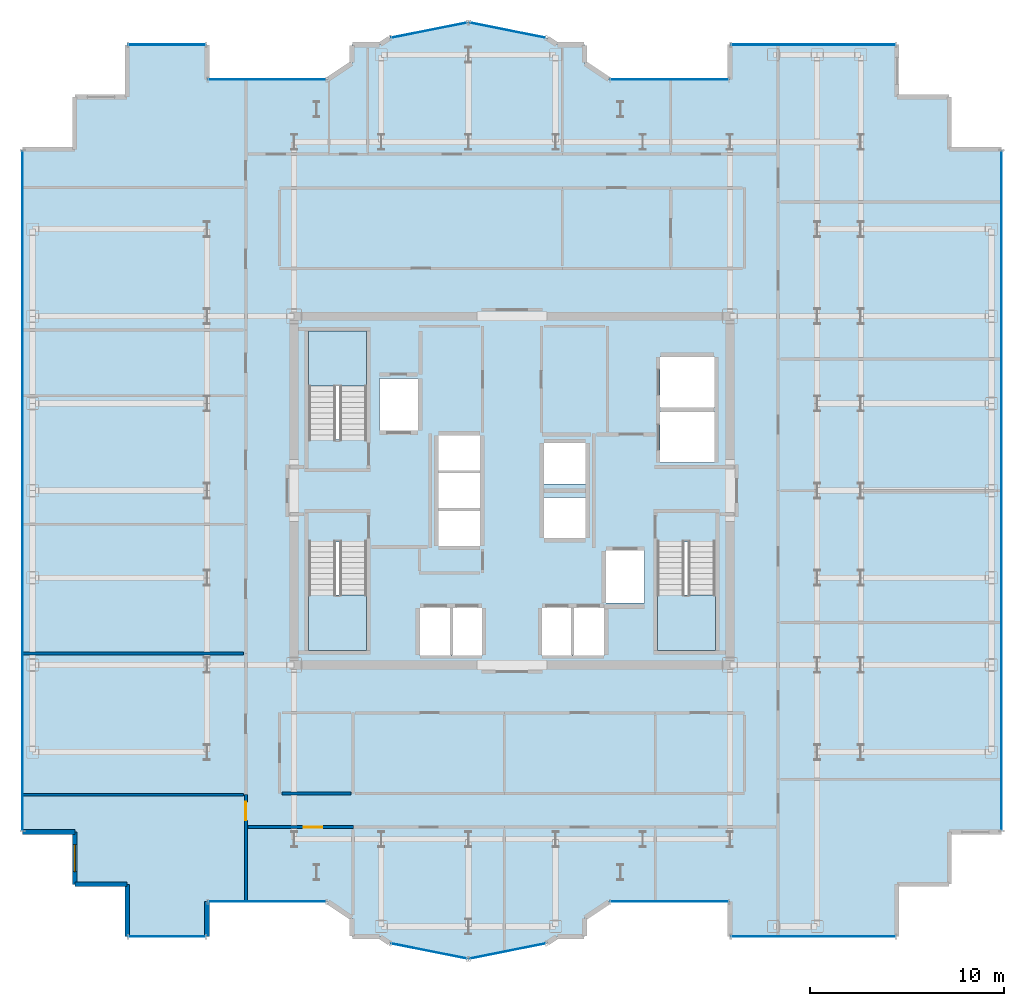
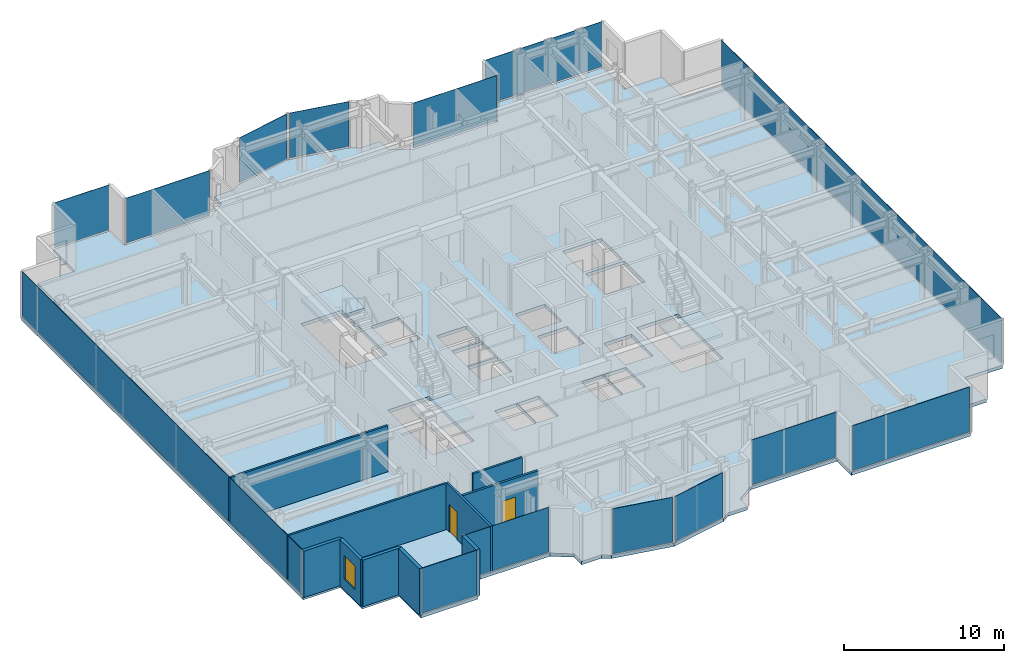
# One storey, part 13 of 20: 14 plates, 10 walls, 4 slabs, 2 doors, 1 window, 3 openings, 17 elements without a shape of their own.
"""IFC4 building model written with IfcOpenShell, lengths in metres."""

from ifc_helpers import new_model, si_unit, direction, frame, frame_2d, origin, origin_2d, place, context, subcontext, project, spatial, polyline, rectangle, outline, extrude, source, transform, mapped, material, layer, layer_set, type_object, element, fill, aggregate, save


model = new_model("IFC4")

# Units and contexts
model_context = context("Model", 3, precision=1e-05, world=origin(), true_north=direction((0.0, 1.0)))
body_context = subcontext(model_context, "Body", "Model", "MODEL_VIEW")
ifc_project = project(units=[si_unit("LENGTHUNIT", "METRE"), si_unit("AREAUNIT", "SQUARE_METRE"), si_unit("VOLUMEUNIT", "CUBIC_METRE"), si_unit("PLANEANGLEUNIT", "RADIAN"), si_unit("MASSUNIT", "GRAM", prefix="KILO")], contexts=[model_context])

# Site, building, storey
site_placement = place(None, origin())
site = spatial("IfcSite", under=ifc_project, at=site_placement, CompositionType="ELEMENT")
building_placement = place(site_placement, origin())
building = spatial("IfcBuilding", under=site, at=building_placement, Name="Nefas-Gora Pilgrimage Tower", CompositionType="ELEMENT")
storey_placement = place(building_placement, frame((0.0, 0.0, 214.199951171875)))
storey = spatial("IfcBuildingStorey", under=building, at=storey_placement, Name="L53", CompositionType="ELEMENT", Elevation=214.199951171875)

# Slab
ifc_material_1 = material(Name="Concrete C40/50", Category="concrete")
ifc_layer_1 = layer(ifc_material_1, 0.25)
ifc_layer_set_1 = layer_set([ifc_layer_1], Name="Concrete C40/50")
slab_type_1 = type_object("IfcSlabType", Name="SLB-TWR-260", PredefinedType="FLOOR", material=ifc_layer_set_1)
slab_1_placement = place(storey_placement, frame((0.0, 0.0, -0.25)))
element("IfcSlab", 1, at=slab_1_placement, inside=storey, type_object=slab_type_1, Name="L53 Structural Floor Slab", PredefinedType="FLOOR", context=body_context, shape_type="SweptSolid", body=[
    extrude(outline(polyline([(5.01806640625, -21.219970703125), (11.25, -21.219970703125), (11.25, -23.02001953125), (19.8701171875, -23.02001953125), (19.8701171875, -20.320068359375), (22.570068359375, -20.320068359375), (22.570068359375, -17.6201171875), (25.27001953125, -17.6201171875), (25.27001953125, 17.6201171875), (22.570068359375, 17.6201171875), (22.570068359375, 20.320068359375), (19.8701171875, 20.320068359375), (19.8701171875, 23.02001953125), (11.25, 23.02001953125), (11.25, 21.219970703125), (5.01806640625, 21.219970703125), (3.75, 22.0673828125), (3.75, 23.02001953125), (2.32421875, 23.02001953125), (1.807373046875, 23.365234375), (-2.25, 24.17236328125), (-6.307373046875, 23.365234375), (-6.82421875, 23.02001953125), (-8.25, 23.02001953125), (-8.25, 22.0673828125), (-9.51806640625, 21.219970703125), (-15.75, 21.219970703125), (-15.75, 23.02001953125), (-19.8701171875, 23.02001953125), (-19.8701171875, 20.320068359375), (-22.570068359375, 20.320068359375), (-22.570068359375, 17.6201171875), (-25.27001953125, 17.6201171875), (-25.27001953125, -17.6201171875), (-22.570068359375, -17.6201171875), (-22.570068359375, -20.320068359375), (-19.8701171875, -20.320068359375), (-19.8701171875, -23.02001953125), (-15.75, -23.02001953125), (-15.75, -21.219970703125), (-9.51806640625, -21.219970703125), (-8.25, -22.0673828125), (-8.25, -23.02001953125), (-6.82421875, -23.02001953125), (-6.307373046875, -23.365234375), (-2.25, -24.17236328125), (1.807373046875, -23.365234375), (2.32421875, -23.02001953125), (3.75, -23.02001953125), (3.75, -22.0673828125), (5.01806640625, -21.219970703125)]), holes=[polyline([(-10.5, 2.639892578125), (-10.5, 8.25), (-7.5, 8.25), (-7.5, 2.639892578125), (-10.5, 2.639892578125)]), polyline([(10.5, -2.639892578125), (10.5, -8.25), (7.5, -8.25), (7.5, -2.639892578125), (10.5, -2.639892578125)]), polyline([(-7.5, -2.639892578125), (-7.5, -8.25), (-10.5, -8.25), (-10.5, -2.639892578125), (-7.5, -2.639892578125)]), polyline([(-6.85009765625, 5.800048828125), (-4.85009765625, 5.800048828125), (-4.85009765625, 3.10009765625), (-6.85009765625, 3.10009765625), (-6.85009765625, 5.800048828125)]), polyline([(4.85009765625, -3.10009765625), (6.85009765625, -3.10009765625), (6.85009765625, -5.800048828125), (4.85009765625, -5.800048828125), (4.85009765625, -3.10009765625)]), polyline([(7.64990234375, 4.050048828125), (10.449951171875, 4.050048828125), (10.449951171875, 1.449951171875), (7.64990234375, 1.449951171875), (7.64990234375, 4.050048828125)]), polyline([(7.64990234375, 6.89990234375), (10.449951171875, 6.89990234375), (10.449951171875, 4.300048828125), (7.64990234375, 4.300048828125), (7.64990234375, 6.89990234375)]), polyline([(-4.75, -6.050048828125), (-3.14990234375, -6.050048828125), (-3.14990234375, -8.5), (-4.75, -8.5), (-4.75, -6.050048828125)]), polyline([(-3.10009765625, -6.050048828125), (-1.550048828125, -6.050048828125), (-1.550048828125, -8.5), (-3.10009765625, -8.5), (-3.10009765625, -6.050048828125)]), polyline([(1.550048828125, -6.050048828125), (3.10009765625, -6.050048828125), (3.10009765625, -8.5), (1.550048828125, -8.5), (1.550048828125, -6.050048828125)]), polyline([(3.14990234375, -6.050048828125), (4.75, -6.050048828125), (4.75, -8.5), (3.14990234375, -8.5), (3.14990234375, -6.050048828125)]), polyline([(-3.800048828125, -1.050048828125), (-1.64990234375, -1.050048828125), (-1.64990234375, -2.85009765625), (-3.800048828125, -2.85009765625), (-3.800048828125, -1.050048828125)]), polyline([(-3.800048828125, 0.89990234375), (-1.64990234375, 0.89990234375), (-1.64990234375, -0.89990234375), (-3.800048828125, -0.89990234375), (-3.800048828125, 0.89990234375)]), polyline([(-3.800048828125, 2.85009765625), (-1.64990234375, 2.85009765625), (-1.64990234375, 1.050048828125), (-3.800048828125, 1.050048828125), (-3.800048828125, 2.85009765625)]), polyline([(1.64990234375, -0.35009765625), (3.800048828125, -0.35009765625), (3.800048828125, -2.449951171875), (1.64990234375, -2.449951171875), (1.64990234375, -0.35009765625)]), polyline([(1.64990234375, 2.449951171875), (3.800048828125, 2.449951171875), (3.800048828125, 0.35009765625), (1.64990234375, 0.35009765625), (1.64990234375, 2.449951171875)])]), origin(), (0.0, 0.0, 1.0), 0.25),
])

# Stair, slab
ifc_material_2 = material(Name="Concrete C45/55", Category="concrete")
stair_type = type_object("IfcStairType", Name="STR-1400-R1727", PredefinedType="HALF_TURN_STAIR", material=ifc_material_2)
stair_1_placement = place(storey_placement, origin())
stair_1 = element("IfcStair", 2, at=stair_1_placement, inside=storey, type_object=stair_type, Name="L53 Pressurised Tower Exit Stair ST-01", PredefinedType="HALF_TURN_STAIR")
ifc_layer_2 = layer(ifc_material_1, 0.199951171875)
ifc_layer_set_2 = layer_set([ifc_layer_2], Name="Concrete C40/50")
slab_type_2 = type_object("IfcSlabType", Name="STR-LAND-200", PredefinedType="LANDING", material=ifc_layer_set_2)
slab_2_placement = place(storey_placement, frame((0.0, 0.0, 1.699951171875)))
slab_2 = element("IfcSlab", 3, at=slab_2_placement, type_object=slab_type_2, Name="ST-01 landing 1", PredefinedType="LANDING", context=body_context, shape_type="SweptSolid", body=[
    extrude(outline(polyline([(-7.5, 5.39990234375), (-7.5, 8.25), (-10.5, 8.25), (-10.5, 5.39990234375), (-7.5, 5.39990234375)])), origin(), (0.0, 0.0, 1.0), 0.2001953125),
])
aggregate(stair_1, [slab_2])

stair_2_placement = place(storey_placement, origin())
stair_2 = element("IfcStair", 4, at=stair_2_placement, inside=storey, type_object=stair_type, Name="L53 Pressurised Tower Exit Stair ST-02", PredefinedType="HALF_TURN_STAIR")
slab_3_placement = place(storey_placement, frame((0.0, 0.0, 1.699951171875)))
slab_3 = element("IfcSlab", 5, at=slab_3_placement, type_object=slab_type_2, Name="ST-02 landing 1", PredefinedType="LANDING", context=body_context, shape_type="SweptSolid", body=[
    extrude(outline(polyline([(7.5, -5.39990234375), (7.5, -8.25), (10.5, -8.25), (10.5, -5.39990234375), (7.5, -5.39990234375)])), origin(), (0.0, 0.0, 1.0), 0.2001953125),
])
aggregate(stair_2, [slab_3])

stair_3_placement = place(storey_placement, origin())
stair_3 = element("IfcStair", 6, at=stair_3_placement, inside=storey, type_object=stair_type, Name="L53 Pressurised Tower Exit Stair ST-03", PredefinedType="HALF_TURN_STAIR")
slab_4_placement = place(storey_placement, frame((0.0, 0.0, 1.699951171875)))
slab_4 = element("IfcSlab", 7, at=slab_4_placement, type_object=slab_type_2, Name="ST-03 landing 1", PredefinedType="LANDING", context=body_context, shape_type="SweptSolid", body=[
    extrude(outline(polyline([(-10.5, -5.39990234375), (-10.5, -8.25), (-7.5, -8.25), (-7.5, -5.39990234375), (-10.5, -5.39990234375)])), origin(), (0.0, 0.0, 1.0), 0.2001953125),
])
aggregate(stair_3, [slab_4])

# Curtain wall, plate
ifc_material_3 = material(Name="Dark ceramic-fritted solar-control aluminium-glass curtain wall", Category="aluminium")
ifc_layer_3 = layer(ifc_material_3, 0.219970703125)
ifc_layer_set_3 = layer_set([ifc_layer_3], Name="Dark ceramic-fritted solar-control aluminium-glass curtain wall")
curtain_wall_type_1 = type_object("IfcCurtainWallType", Name="CW-SYS-5", PredefinedType="NOTDEFINED", material=ifc_layer_set_3)
curtain_wall_1_placement = place(storey_placement, origin())
curtain_wall_1 = element("IfcCurtainWall", 8, at=curtain_wall_1_placement, inside=storey, type_object=curtain_wall_type_1, Name="L53 Unitised Curtain Wall CW5", PredefinedType="NOTDEFINED")
ifc_material_4 = material(Name="Dark ceramic-printed low-e insulated glass", Category="glass")
ifc_layer_4 = layer(ifc_material_4, 0.028076171875)
ifc_layer_set_4 = layer_set([ifc_layer_4], Name="Dark ceramic-printed low-e insulated glass")
plate_type_1 = type_object("IfcPlateType", Name="CWP-PNL-5", PredefinedType="CURTAIN_PANEL", material=ifc_layer_set_4)
shared_shape_1 = source(origin(), body_context, "Body", "SweptSolid", [
    extrude(rectangle(XDim=6.052001953125, YDim=0.028076171875, at=origin_2d()), origin(), (0.0, 0.0, 1.0), 3.43994140625),
])
plate_1_placement = place(storey_placement, frame((8.134033203125, -21.219970703125, 0.10009765625), z_axis=(0.0, 0.0, 1.0), x_axis=(1.0, 0.0, 0.0)))
plate_1 = element("IfcPlate", 9, at=plate_1_placement, type_object=plate_type_1, Name="CW5 Ceramic-Fritted Glazing Panel 1", PredefinedType="CURTAIN_PANEL", context=body_context, shape_type="MappedRepresentation", body=[
    mapped(shared_shape_1, transform((0.0, 0.0, 0.0), x_axis=(1.0, 0.0, 0.0), y_axis=(0.0, 1.0, 0.0), z_axis=(0.0, 0.0, 1.0), scale=1.0)),
])
aggregate(curtain_wall_1, [plate_1])

curtain_wall_2_placement = place(storey_placement, origin())
curtain_wall_2 = element("IfcCurtainWall", 10, at=curtain_wall_2_placement, inside=storey, type_object=curtain_wall_type_1, Name="L53 Unitised Curtain Wall CW5", PredefinedType="NOTDEFINED")
plate_2_placement = place(storey_placement, frame((8.134033203125, 21.219970703125, 0.10009765625), z_axis=(0.0, 0.0, 1.0), x_axis=(-1.0, 0.0, 0.0)))
plate_2 = element("IfcPlate", 11, at=plate_2_placement, type_object=plate_type_1, Name="CW5 Ceramic-Fritted Glazing Panel 1", PredefinedType="CURTAIN_PANEL", context=body_context, shape_type="MappedRepresentation", body=[
    mapped(shared_shape_1, transform((0.0, 0.0, 0.0), x_axis=(1.0, 0.0, 0.0), y_axis=(0.0, 1.0, 0.0), z_axis=(0.0, 0.0, 1.0), scale=1.0)),
])
aggregate(curtain_wall_2, [plate_2])

curtain_wall_3_placement = place(storey_placement, origin())
curtain_wall_3 = element("IfcCurtainWall", 12, at=curtain_wall_3_placement, inside=storey, type_object=curtain_wall_type_1, Name="L53 Unitised Curtain Wall CW5", PredefinedType="NOTDEFINED")
plate_3_placement = place(storey_placement, frame((-12.634033203125, 21.219970703125, 0.10009765625), z_axis=(0.0, 0.0, 1.0), x_axis=(-1.0, 0.0, 0.0)))
plate_3 = element("IfcPlate", 13, at=plate_3_placement, type_object=plate_type_1, Name="CW5 Ceramic-Fritted Glazing Panel 1", PredefinedType="CURTAIN_PANEL", context=body_context, shape_type="MappedRepresentation", body=[
    mapped(shared_shape_1, transform((0.0, 0.0, 0.0), x_axis=(1.0, 0.0, 0.0), y_axis=(0.0, 1.0, 0.0), z_axis=(0.0, 0.0, 1.0), scale=1.0)),
])
aggregate(curtain_wall_3, [plate_3])

curtain_wall_4_placement = place(storey_placement, origin())
curtain_wall_4 = element("IfcCurtainWall", 14, at=curtain_wall_4_placement, inside=storey, type_object=curtain_wall_type_1, Name="L53 Unitised Curtain Wall CW5", PredefinedType="NOTDEFINED")
plate_4_placement = place(storey_placement, frame((-12.634033203125, -21.219970703125, 0.10009765625), z_axis=(0.0, 0.0, 1.0), x_axis=(1.0, 0.0, 0.0)))
plate_4 = element("IfcPlate", 15, at=plate_4_placement, type_object=plate_type_1, Name="CW5 Ceramic-Fritted Glazing Panel 1", PredefinedType="CURTAIN_PANEL", context=body_context, shape_type="MappedRepresentation", body=[
    mapped(shared_shape_1, transform((0.0, 0.0, 0.0), x_axis=(1.0, 0.0, 0.0), y_axis=(0.0, 1.0, 0.0), z_axis=(0.0, 0.0, 1.0), scale=1.0)),
])
aggregate(curtain_wall_4, [plate_4])

curtain_wall_5_placement = place(storey_placement, origin())
curtain_wall_5 = element("IfcCurtainWall", 16, at=curtain_wall_5_placement, inside=storey, type_object=curtain_wall_type_1, Name="L53 Unitised Curtain Wall CW5", PredefinedType="NOTDEFINED")
shared_shape_2 = source(origin(), body_context, "Body", "SweptSolid", [
    extrude(rectangle(XDim=3.956787109375, YDim=0.028076171875, at=origin_2d()), origin(), (0.0, 0.0, 1.0), 3.43994140625),
])
plate_5_placement = place(storey_placement, frame((-0.22119140625, 23.768798828125, 0.10009765625), z_axis=(0.0, 0.0, 1.0), x_axis=(-0.980782896852, 0.195102304554, 0.0)))
plate_5 = element("IfcPlate", 17, at=plate_5_placement, type_object=plate_type_1, Name="CW5 Ceramic-Fritted Glazing Panel 1", PredefinedType="CURTAIN_PANEL", context=body_context, shape_type="MappedRepresentation", body=[
    mapped(shared_shape_2, transform((0.0, 0.0, 0.0), x_axis=(1.0, 0.0, 0.0), y_axis=(0.0, 1.0, 0.0), z_axis=(0.0, 0.0, 1.0), scale=1.0)),
])
aggregate(curtain_wall_5, [plate_5])

curtain_wall_6_placement = place(storey_placement, origin())
curtain_wall_6 = element("IfcCurtainWall", 18, at=curtain_wall_6_placement, inside=storey, type_object=curtain_wall_type_1, Name="L53 Unitised Curtain Wall CW5", PredefinedType="NOTDEFINED")
plate_6_placement = place(storey_placement, frame((-4.278564453125, 23.768798828125, 0.10009765625), z_axis=(0.0, 0.0, 1.0), x_axis=(-0.980782896852, -0.195102304554, 0.0)))
plate_6 = element("IfcPlate", 19, at=plate_6_placement, type_object=plate_type_1, Name="CW5 Ceramic-Fritted Glazing Panel 1", PredefinedType="CURTAIN_PANEL", context=body_context, shape_type="MappedRepresentation", body=[
    mapped(shared_shape_2, transform((0.0, 0.0, 0.0), x_axis=(1.0, 0.0, 0.0), y_axis=(0.0, 1.0, 0.0), z_axis=(0.0, 0.0, 1.0), scale=1.0)),
])
aggregate(curtain_wall_6, [plate_6])

curtain_wall_7_placement = place(storey_placement, origin())
curtain_wall_7 = element("IfcCurtainWall", 20, at=curtain_wall_7_placement, inside=storey, type_object=curtain_wall_type_1, Name="L53 Unitised Curtain Wall CW5", PredefinedType="NOTDEFINED")
plate_7_placement = place(storey_placement, frame((-4.278564453125, -23.768798828125, 0.10009765625), z_axis=(0.0, 0.0, 1.0), x_axis=(0.980782896852, -0.195102304554, 0.0)))
plate_7 = element("IfcPlate", 21, at=plate_7_placement, type_object=plate_type_1, Name="CW5 Ceramic-Fritted Glazing Panel 1", PredefinedType="CURTAIN_PANEL", context=body_context, shape_type="MappedRepresentation", body=[
    mapped(shared_shape_2, transform((0.0, 0.0, 0.0), x_axis=(1.0, 0.0, 0.0), y_axis=(0.0, 1.0, 0.0), z_axis=(0.0, 0.0, 1.0), scale=1.0)),
])
aggregate(curtain_wall_7, [plate_7])

curtain_wall_8_placement = place(storey_placement, origin())
curtain_wall_8 = element("IfcCurtainWall", 22, at=curtain_wall_8_placement, inside=storey, type_object=curtain_wall_type_1, Name="L53 Unitised Curtain Wall CW5", PredefinedType="NOTDEFINED")
plate_8_placement = place(storey_placement, frame((-0.221435546875, -23.768798828125, 0.10009765625), z_axis=(0.0, 0.0, 1.0), x_axis=(0.980782896852, 0.195102304554, 0.0)))
plate_8 = element("IfcPlate", 23, at=plate_8_placement, type_object=plate_type_1, Name="CW5 Ceramic-Fritted Glazing Panel 1", PredefinedType="CURTAIN_PANEL", context=body_context, shape_type="MappedRepresentation", body=[
    mapped(shared_shape_2, transform((0.0, 0.0, 0.0), x_axis=(1.0, 0.0, 0.0), y_axis=(0.0, 1.0, 0.0), z_axis=(0.0, 0.0, 1.0), scale=1.0)),
])
aggregate(curtain_wall_8, [plate_8])

ifc_layer_5 = layer(ifc_material_3, 0.219970703125)
ifc_layer_set_5 = layer_set([ifc_layer_5], Name="Dark ceramic-fritted solar-control aluminium-glass curtain wall")
curtain_wall_type_2 = type_object("IfcCurtainWallType", Name="CW-SYS-3", PredefinedType="NOTDEFINED", material=ifc_layer_set_5)
curtain_wall_9_placement = place(storey_placement, origin())
curtain_wall_9 = element("IfcCurtainWall", 24, at=curtain_wall_9_placement, inside=storey, type_object=curtain_wall_type_2, Name="L53 Unitised Curtain Wall CW3", PredefinedType="NOTDEFINED")
ifc_layer_6 = layer(ifc_material_4, 0.033935546875)
ifc_layer_set_6 = layer_set([ifc_layer_6], Name="Dark ceramic-printed low-e insulated glass")
plate_type_2 = type_object("IfcPlateType", Name="CWP-PNL-3", PredefinedType="CURTAIN_PANEL", material=ifc_layer_set_6)
shared_shape_3 = source(origin(), body_context, "Body", "SweptSolid", [
    extrude(rectangle(XDim=8.43994140625, YDim=0.033935546875, at=origin_2d()), origin(), (0.0, 0.0, 1.0), 3.43994140625),
])
plate_9_placement = place(storey_placement, frame((15.56005859375, -23.02001953125, 0.10009765625), z_axis=(0.0, 0.0, 1.0), x_axis=(1.0, 0.0, 0.0)))
plate_9 = element("IfcPlate", 25, at=plate_9_placement, type_object=plate_type_2, Name="CW3 Ceramic-Fritted Glazing Panel 1", PredefinedType="CURTAIN_PANEL", context=body_context, shape_type="MappedRepresentation", body=[
    mapped(shared_shape_3, transform((0.0, 0.0, 0.0), x_axis=(1.0, 0.0, 0.0), y_axis=(0.0, 1.0, 0.0), z_axis=(0.0, 0.0, 1.0), scale=1.0)),
])
aggregate(curtain_wall_9, [plate_9])

curtain_wall_10_placement = place(storey_placement, origin())
curtain_wall_10 = element("IfcCurtainWall", 26, at=curtain_wall_10_placement, inside=storey, type_object=curtain_wall_type_2, Name="L53 Unitised Curtain Wall CW3", PredefinedType="NOTDEFINED")
plate_10_placement = place(storey_placement, frame((15.56005859375, 23.02001953125, 0.10009765625), z_axis=(0.0, 0.0, 1.0), x_axis=(-1.0, 0.0, 0.0)))
plate_10 = element("IfcPlate", 27, at=plate_10_placement, type_object=plate_type_2, Name="CW3 Ceramic-Fritted Glazing Panel 1", PredefinedType="CURTAIN_PANEL", context=body_context, shape_type="MappedRepresentation", body=[
    mapped(shared_shape_3, transform((0.0, 0.0, 0.0), x_axis=(1.0, 0.0, 0.0), y_axis=(0.0, 1.0, 0.0), z_axis=(0.0, 0.0, 1.0), scale=1.0)),
])
aggregate(curtain_wall_10, [plate_10])

curtain_wall_11_placement = place(storey_placement, origin())
curtain_wall_11 = element("IfcCurtainWall", 28, at=curtain_wall_11_placement, inside=storey, type_object=curtain_wall_type_2, Name="L53 Unitised Curtain Wall CW3", PredefinedType="NOTDEFINED")
shared_shape_4 = source(origin(), body_context, "Body", "SweptSolid", [
    extrude(rectangle(XDim=35.06005859375, YDim=0.033935546875, at=origin_2d()), origin(), (0.0, 0.0, 1.0), 3.43994140625),
])
plate_11_placement = place(storey_placement, frame((25.27001953125, 0.0, 0.10009765625), z_axis=(0.0, 0.0, 1.0), x_axis=(0.0, 1.0, 0.0)))
plate_11 = element("IfcPlate", 29, at=plate_11_placement, type_object=plate_type_2, Name="CW3 Ceramic-Fritted Glazing Panel 1", PredefinedType="CURTAIN_PANEL", context=body_context, shape_type="MappedRepresentation", body=[
    mapped(shared_shape_4, transform((0.0, 0.0, 0.0), x_axis=(1.0, 0.0, 0.0), y_axis=(0.0, 1.0, 0.0), z_axis=(0.0, 0.0, 1.0), scale=1.0)),
])
aggregate(curtain_wall_11, [plate_11])

curtain_wall_12_placement = place(storey_placement, origin())
curtain_wall_12 = element("IfcCurtainWall", 30, at=curtain_wall_12_placement, inside=storey, type_object=curtain_wall_type_2, Name="L53 Unitised Curtain Wall CW3", PredefinedType="NOTDEFINED")
plate_12_placement = place(storey_placement, frame((-25.27001953125, 0.0, 0.10009765625), z_axis=(0.0, 0.0, 1.0), x_axis=(0.0, -1.0, 0.0)))
plate_12 = element("IfcPlate", 31, at=plate_12_placement, type_object=plate_type_2, Name="CW3 Ceramic-Fritted Glazing Panel 1", PredefinedType="CURTAIN_PANEL", context=body_context, shape_type="MappedRepresentation", body=[
    mapped(shared_shape_4, transform((0.0, 0.0, 0.0), x_axis=(1.0, 0.0, 0.0), y_axis=(0.0, 1.0, 0.0), z_axis=(0.0, 0.0, 1.0), scale=1.0)),
])
aggregate(curtain_wall_12, [plate_12])

curtain_wall_13_placement = place(storey_placement, origin())
curtain_wall_13 = element("IfcCurtainWall", 32, at=curtain_wall_13_placement, inside=storey, type_object=curtain_wall_type_2, Name="L53 Unitised Curtain Wall CW3", PredefinedType="NOTDEFINED")
shared_shape_5 = source(origin(), body_context, "Body", "SweptSolid", [
    extrude(rectangle(XDim=3.93994140625, YDim=0.033935546875, at=origin_2d()), origin(), (0.0, 0.0, 1.0), 3.43994140625),
])
plate_13_placement = place(storey_placement, frame((-17.81005859375, 23.02001953125, 0.10009765625), z_axis=(0.0, 0.0, 1.0), x_axis=(-1.0, 0.0, 0.0)))
plate_13 = element("IfcPlate", 33, at=plate_13_placement, type_object=plate_type_2, Name="CW3 Ceramic-Fritted Glazing Panel 1", PredefinedType="CURTAIN_PANEL", context=body_context, shape_type="MappedRepresentation", body=[
    mapped(shared_shape_5, transform((0.0, 0.0, 0.0), x_axis=(1.0, 0.0, 0.0), y_axis=(0.0, 1.0, 0.0), z_axis=(0.0, 0.0, 1.0), scale=1.0)),
])
aggregate(curtain_wall_13, [plate_13])

curtain_wall_14_placement = place(storey_placement, origin())
curtain_wall_14 = element("IfcCurtainWall", 34, at=curtain_wall_14_placement, inside=storey, type_object=curtain_wall_type_2, Name="L53 Unitised Curtain Wall CW3", PredefinedType="NOTDEFINED")
plate_14_placement = place(storey_placement, frame((-17.81005859375, -23.02001953125, 0.10009765625), z_axis=(0.0, 0.0, 1.0), x_axis=(1.0, 0.0, 0.0)))
plate_14 = element("IfcPlate", 35, at=plate_14_placement, type_object=plate_type_2, Name="CW3 Ceramic-Fritted Glazing Panel 1", PredefinedType="CURTAIN_PANEL", context=body_context, shape_type="MappedRepresentation", body=[
    mapped(shared_shape_5, transform((0.0, 0.0, 0.0), x_axis=(1.0, 0.0, 0.0), y_axis=(0.0, 1.0, 0.0), z_axis=(0.0, 0.0, 1.0), scale=1.0)),
])
aggregate(curtain_wall_14, [plate_14])

# Walls
ifc_material_5 = material(Name="Precast concrete C40/50", Category="concrete")
ifc_layer_7 = layer(ifc_material_5, 0.260009765625)
ifc_layer_set_7 = layer_set([ifc_layer_7], Name="Precast concrete C40/50")
wall_type_1 = type_object("IfcWallType", Name="EW-PORTAL-260", PredefinedType="SOLIDWALL", material=ifc_layer_set_7)
shared_shape_6 = source(origin(), body_context, "Body", "SweptSolid", [
    extrude(rectangle(XDim=1.800048828125, YDim=0.260009765625, at=frame_2d((0.89990234375, 0.0))), origin(), (0.0, 0.0, 1.0), 3.550048828125),
])
wall_1_placement = place(storey_placement, frame((-15.75, -23.02001953125, 0.0), z_axis=(0.0, 0.0, 1.0), x_axis=(0.0, 1.0, 0.0)))
element("IfcWall", 36, at=wall_1_placement, inside=storey, type_object=wall_type_1, Name="L53 Lobe Shoulder Precast Spandrel Pier 28", PredefinedType="SOLIDWALL", context=body_context, shape_type="MappedRepresentation", body=[
    mapped(shared_shape_6, transform((0.0, 0.0, 0.0), x_axis=(1.0, 0.0, 0.0), y_axis=(0.0, 1.0, 0.0), z_axis=(0.0, 0.0, 1.0), scale=1.0)),
])
ifc_material_6 = material(Name="Precast concrete C45/55", Category="concrete")
ifc_layer_8 = layer(ifc_material_6, 0.239990234375)
ifc_layer_set_8 = layer_set([ifc_layer_8], Name="Precast concrete C45/55")
wall_type_2 = type_object("IfcWallType", Name="EW-SERR-240", PredefinedType="SHEAR", material=ifc_layer_set_8)
shared_shape_7 = source(origin(), body_context, "Body", "SweptSolid", [
    extrude(rectangle(XDim=2.699951171875, YDim=0.239990234375, at=frame_2d((1.35009765625, 0.0))), origin(), (0.0, 0.0, 1.0), 3.550048828125),
])
wall_2_placement = place(storey_placement, frame((-25.27001953125, -17.6201171875, 0.0), z_axis=(0.0, 0.0, 1.0), x_axis=(1.0, 0.0, 0.0)))
element("IfcWall", 37, at=wall_2_placement, inside=storey, type_object=wall_type_2, Name="L53 Serrated Corner Shear Pier Wall 24", PredefinedType="SHEAR", context=body_context, shape_type="MappedRepresentation", body=[
    mapped(shared_shape_7, transform((0.0, 0.0, 0.0), x_axis=(1.0, 0.0, 0.0), y_axis=(0.0, 1.0, 0.0), z_axis=(0.0, 0.0, 1.0), scale=1.0)),
])

# Wall, opening, window
wall_3_placement = place(storey_placement, frame((-22.570068359375, -17.6201171875, 0.0), z_axis=(0.0, 0.0, 1.0), x_axis=(0.0, -1.0, 0.0)))
wall_3 = element("IfcWall", 38, at=wall_3_placement, inside=storey, type_object=wall_type_2, Name="L53 Serrated Corner Shear Pier Wall 25", PredefinedType="SHEAR", context=body_context, shape_type="MappedRepresentation", body=[
    mapped(shared_shape_7, transform((0.0, 0.0, 0.0), x_axis=(1.0, 0.0, 0.0), y_axis=(0.0, 1.0, 0.0), z_axis=(0.0, 0.0, 1.0), scale=1.0)),
])
opening_1_placement = place(wall_3_placement, frame((0.64990234375, 0.0, 0.85009765625)))
opening_1 = element("IfcOpeningElement", 39, at=opening_1_placement, cuts=wall_3, Name="Opening W-V2", PredefinedType="OPENING", context=body_context, shape_type="SweptSolid", body=[
    extrude(rectangle(XDim=1.39990234375, YDim=1.800048828125, at=frame_2d((0.699951171875, 0.89990234375))), frame((0.0, 0.1298828125, 0.0), z_axis=(0.0, -1.0, 0.0), x_axis=(1.0, 0.0, 0.0)), (0.0, 0.0, 1.0), 0.260009765625),
])
ifc_material_7 = material(Name="Dark ceramic-fritted operable aluminium-glass window", Category="aluminium")
window_type = type_object("IfcWindowType", Name="WIN-VENT-1400x1800", PartitioningType="SINGLE_PANEL", PredefinedType="WINDOW", material=ifc_material_7)
shared_shape_8 = source(origin(), body_context, "Body", "SweptSolid", [
    extrude(rectangle(XDim=1.39990234375, YDim=1.800048828125, at=frame_2d((0.699951171875, 0.89990234375))), frame((0.0, 0.030029296875, 0.0), z_axis=(0.0, -1.0, 0.0), x_axis=(1.0, 0.0, 0.0)), (0.0, 0.0, 1.0), 0.06005859375),
])
window_placement = place(opening_1_placement, origin())
window = element("IfcWindow", 40, at=window_placement, inside=storey, type_object=window_type, Name="L53 Operable Parallel-Outswing Window 25", OverallHeight=1.800048828125, OverallWidth=1.39990234375, PartitioningType="SINGLE_PANEL", PredefinedType="WINDOW", context=body_context, shape_type="MappedRepresentation", body=[
    mapped(shared_shape_8, transform((0.0, 0.0, 0.0), x_axis=(1.0, 0.0, 0.0), y_axis=(0.0, 1.0, 0.0), z_axis=(0.0, 0.0, 1.0), scale=1.0)),
])
fill(opening_1, window)

# Walls
for number, where, z_axis, x_axis, name in (
    (41, (-22.570068359375, -20.320068359375, 0.0), (0.0, 0.0, 1.0), (1.0, 0.0, 0.0), "L53 Serrated Corner Shear Pier Wall 26"),
    (42, (-19.8701171875, -20.320068359375, 0.0), (0.0, 0.0, 1.0), (0.0, -1.0, 0.0), "L53 Serrated Corner Shear Pier Wall 27"),
):
    element("IfcWall", number, at=place(storey_placement, frame(where, z_axis=z_axis, x_axis=x_axis)), inside=storey, type_object=wall_type_2, Name=name, PredefinedType="SHEAR", context=body_context, shape_type="MappedRepresentation", body=[
        mapped(shared_shape_7, transform((0.0, 0.0, 0.0), x_axis=(1.0, 0.0, 0.0), y_axis=(0.0, 1.0, 0.0), z_axis=(0.0, 0.0, 1.0), scale=1.0)),
    ])

# Wall, opening, door
ifc_material_8 = material(Name="Gypsum acoustic stud partition")
ifc_layer_9 = layer(ifc_material_8, 0.159912109375)
ifc_layer_set_9 = layer_set([ifc_layer_9], Name="Gypsum acoustic stud partition")
wall_type_3 = type_object("IfcWallType", Name="IW-CORR-160", PredefinedType="PARTITIONING", material=ifc_layer_set_9)
shared_shape_9 = source(origin(), body_context, "Body", "SweptSolid", [
    extrude(rectangle(XDim=5.425048828125, YDim=0.159912109375, at=frame_2d((2.71240234375, 0.0))), origin(), (0.0, 0.0, 1.0), 3.53515625),
])
wall_4_placement = place(storey_placement, frame((-13.6201171875, -17.3701171875, 0.0), z_axis=(0.0, 0.0, 1.0), x_axis=(1.0, 0.0, 0.0)))
wall_4 = element("IfcWall", 43, at=wall_4_placement, inside=storey, type_object=wall_type_3, Name="L53 Pilgrim Contemplative Lounge Partition Wall 68", PredefinedType="PARTITIONING", context=body_context, shape_type="MappedRepresentation", body=[
    mapped(shared_shape_9, transform((0.0, 0.0, 0.0), x_axis=(1.0, 0.0, 0.0), y_axis=(0.0, 1.0, 0.0), z_axis=(0.0, 0.0, 1.0), scale=1.0)),
])
opening_2_placement = place(wall_4_placement, frame((2.864013671875, 0.0, 0.0)))
opening_2 = element("IfcOpeningElement", 44, at=opening_2_placement, cuts=wall_4, Name="Opening ID-GR1", PredefinedType="OPENING", context=body_context, shape_type="SweptSolid", body=[
    extrude(rectangle(XDim=0.949951171875, YDim=2.10009765625, at=frame_2d((0.47509765625, 1.050048828125))), frame((0.0, 0.08984375, 0.0), z_axis=(0.0, -1.0, 0.0), x_axis=(1.0, 0.0, 0.0)), (0.0, 0.0, 1.0), 0.179931640625),
])
ifc_material_9 = material(Name="Solid core oak fire-rated guest entrance door")
door_type = type_object("IfcDoorType", Name="DR-INT-GUEST-950", OperationType="NOTDEFINED", PredefinedType="DOOR", material=ifc_material_9)
shared_shape_10 = source(origin(), body_context, "Body", "SweptSolid", [
    extrude(rectangle(XDim=0.949951171875, YDim=2.10009765625, at=frame_2d((0.47509765625, 1.050048828125))), frame((0.0, 0.02490234375, 0.0), z_axis=(0.0, -1.0, 0.0), x_axis=(1.0, 0.0, 0.0)), (0.0, 0.0, 1.0), 0.050048828125),
])
door_1_placement = place(opening_2_placement, origin())
door_1 = element("IfcDoor", 45, at=door_1_placement, inside=storey, type_object=door_type, Name="L53 Pilgrim Contemplative Lounge Door 31", OperationType="SINGLE_SWING_LEFT", OverallHeight=2.10009765625, OverallWidth=0.949951171875, PredefinedType="DOOR", context=body_context, shape_type="MappedRepresentation", body=[
    mapped(shared_shape_10, transform((0.0, 0.0, 0.0), x_axis=(1.0, 0.0, 0.0), y_axis=(0.0, 1.0, 0.0), z_axis=(0.0, 0.0, 1.0), scale=1.0)),
])
fill(opening_2, door_1)

# Walls
ifc_material_10 = material(Name="Gypsum twin-stud partition")
ifc_layer_10 = layer(ifc_material_10, 0.139892578125)
ifc_layer_set_10 = layer_set([ifc_layer_10], Name="Gypsum twin-stud partition")
wall_type_4 = type_object("IfcWallType", Name="IW-UNIT-140", PredefinedType="PARTITIONING", material=ifc_layer_set_10)
shared_shape_11 = source(origin(), body_context, "Body", "SweptSolid", [
    extrude(rectangle(XDim=11.429931640625, YDim=0.139892578125, at=frame_2d((5.71484375, 0.0))), origin(), (0.0, 0.0, 1.0), 3.53515625),
])
for number, where, z_axis, x_axis, name in (
    (46, (-25.2900390625, -15.697509765625, 0.0), (0.0, 0.0, 1.0), (1.0, 0.0, 0.0), "L53 Pilgrim Tea and Beverage Pantry Partition Wall 29"),
    (47, (-25.2900390625, -8.405029296875, 0.0), (0.0, 0.0, 1.0), (1.0, 0.0, 0.0), "L53 Pilgrim Tea and Beverage Pantry Partition Wall 31"),
):
    element("IfcWall", number, at=place(storey_placement, frame(where, z_axis=z_axis, x_axis=x_axis)), inside=storey, type_object=wall_type_4, Name=name, PredefinedType="PARTITIONING", context=body_context, shape_type="MappedRepresentation", body=[
        mapped(shared_shape_11, transform((0.0, 0.0, 0.0), x_axis=(1.0, 0.0, 0.0), y_axis=(0.0, 1.0, 0.0), z_axis=(0.0, 0.0, 1.0), scale=1.0)),
    ])

# Wall, opening, door
shared_shape_12 = source(origin(), body_context, "Body", "SweptSolid", [
    extrude(rectangle(XDim=5.552490234375, YDim=0.159912109375, at=frame_2d((2.7763671875, 0.0))), origin(), (0.0, 0.0, 1.0), 3.53515625),
])
wall_5_placement = place(storey_placement, frame((-13.739990234375, -21.239990234375, 0.0), z_axis=(0.0, 0.0, 1.0), x_axis=(0.0, 1.0, 0.0)))
wall_5 = element("IfcWall", 48, at=wall_5_placement, inside=storey, type_object=wall_type_3, Name="L53 Pilgrim Tea and Beverage Pantry Partition Wall 28", PredefinedType="PARTITIONING", context=body_context, shape_type="MappedRepresentation", body=[
    mapped(shared_shape_12, transform((0.0, 0.0, 0.0), x_axis=(1.0, 0.0, 0.0), y_axis=(0.0, 1.0, 0.0), z_axis=(0.0, 0.0, 1.0), scale=1.0)),
])
opening_3_placement = place(wall_5_placement, frame((4.21630859375, 0.0, 0.0)))
opening_3 = element("IfcOpeningElement", 49, at=opening_3_placement, cuts=wall_5, Name="Opening ID-GR1", PredefinedType="OPENING", context=body_context, shape_type="SweptSolid", body=[
    extrude(rectangle(XDim=0.949951171875, YDim=2.10009765625, at=frame_2d((0.47509765625, 1.050048828125))), frame((0.0, 0.08984375, 0.0), z_axis=(0.0, -1.0, 0.0), x_axis=(1.0, 0.0, 0.0)), (0.0, 0.0, 1.0), 0.179931640625),
])
door_2_placement = place(opening_3_placement, origin())
door_2 = element("IfcDoor", 50, at=door_2_placement, inside=storey, type_object=door_type, Name="L53 Pilgrim Tea and Beverage Pantry Door 11", OperationType="SINGLE_SWING_LEFT", OverallHeight=2.10009765625, OverallWidth=0.949951171875, PredefinedType="DOOR", context=body_context, shape_type="MappedRepresentation", body=[
    mapped(shared_shape_10, transform((0.0, 0.0, 0.0), x_axis=(1.0, 0.0, 0.0), y_axis=(0.0, 1.0, 0.0), z_axis=(0.0, 0.0, 1.0), scale=1.0)),
])
fill(opening_3, door_2)

# Wall
shared_shape_13 = source(origin(), body_context, "Body", "SweptSolid", [
    extrude(rectangle(XDim=3.56494140625, YDim=0.139892578125, at=frame_2d((1.782470703125, 0.0))), origin(), (0.0, 0.0, 1.0), 3.53515625),
])
wall_6_placement = place(storey_placement, frame((-11.8798828125, -15.6298828125, 0.0), z_axis=(0.0, 0.0, 1.0), x_axis=(1.0, 0.0, 0.0)))
element("IfcWall", 51, at=wall_6_placement, inside=storey, type_object=wall_type_4, Name="L53 Pilgrim Contemplative Lounge Partition Wall 73", PredefinedType="PARTITIONING", context=body_context, shape_type="MappedRepresentation", body=[
    mapped(shared_shape_13, transform((0.0, 0.0, 0.0), x_axis=(1.0, 0.0, 0.0), y_axis=(0.0, 1.0, 0.0), z_axis=(0.0, 0.0, 1.0), scale=1.0)),
])

save(model, "model.ifc")
